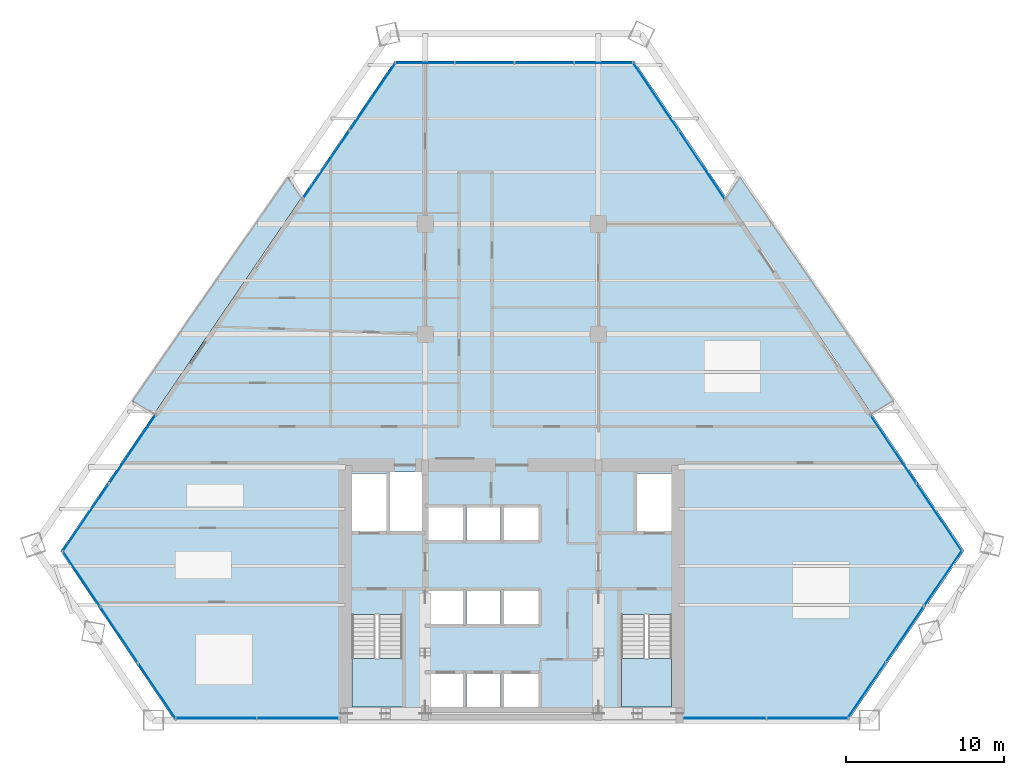
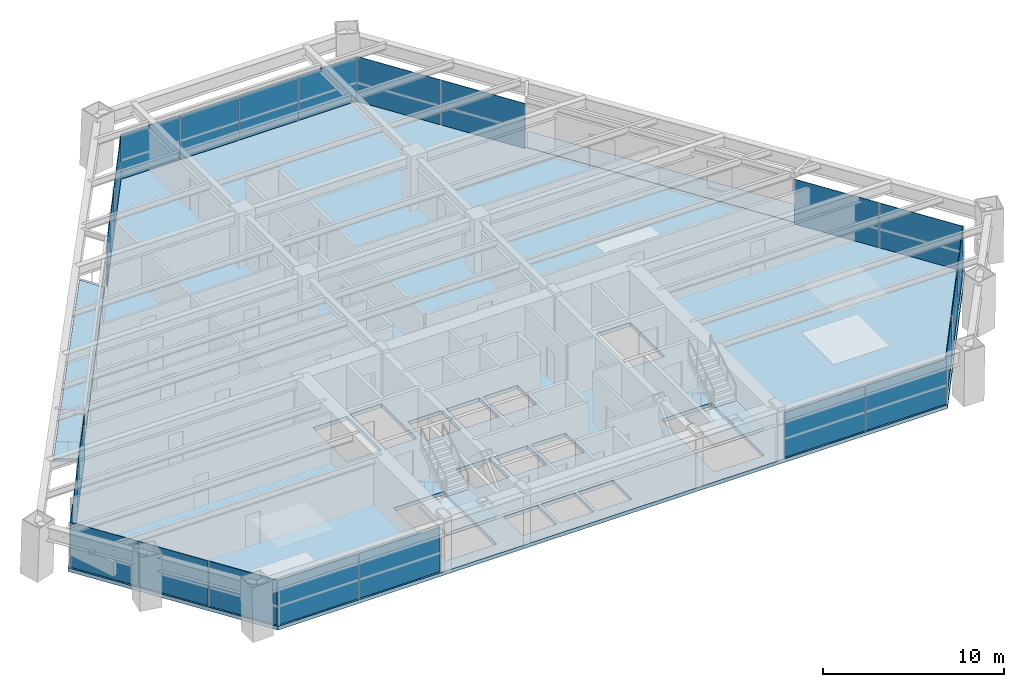
# One storey, part 9 of 14: 22 plates, 5 slabs, 11 elements without a shape of their own.
"""IFC4 building model written with IfcOpenShell, lengths in metres."""

import ifcopenshell
import ifcopenshell.guid

model = None  # the IFC model being written
_history = None  # IfcOwnerHistory: only IFC2X3 demands one
_inside = {}  # id of a spatial element -> (the spatial element, [elements in it])
_under = {}  # id of a project, library or spatial element -> (it, [spatial elements below it])
_declared = {}  # id of a project -> (the project, [libraries it declares])
_typed = {}  # id of a type object -> (the type object, [elements of that type])
_made_of = {}  # id of a material, layer set ... -> (it, [elements and type objects made of it])


def new_model(schema):
    """Start an empty IFC model of exactly this schema.

    Asked for "IFC4X3", IfcOpenShell would pick the latest addendum, in which some entities
    have other attributes; the version numbers below select the first issue.
    IFC2X3 requires an IfcOwnerHistory on every rooted entity: one is made here for all.
    """
    global model, _history
    if schema == "IFC4X3":
        model = ifcopenshell.file(schema_version=(4, 3, 0, 0))
    else:
        model = ifcopenshell.file(schema=schema)
    _inside.clear()
    _under.clear()
    _declared.clear()
    _typed.clear()
    _made_of.clear()
    _history = None
    if model.schema == "IFC2X3":
        org = make("IfcOrganization", Name="unknown")
        user = make(
            "IfcPersonAndOrganization",
            ThePerson=make("IfcPerson", FamilyName="unknown"),
            TheOrganization=org,
        )
        app = make(
            "IfcApplication",
            ApplicationDeveloper=org,
            Version="unknown",
            ApplicationFullName="unknown",
            ApplicationIdentifier="unknown",
        )
        _history = make(
            "IfcOwnerHistory",
            OwningUser=user,
            OwningApplication=app,
            ChangeAction="ADDED",
            CreationDate=0,
        )
    return model


def make(cls, **values):
    """One entity of the class cls with the attributes given. An attribute that is None is left unset."""
    return model.create_entity(
        cls, **{name: value for name, value in values.items() if value is not None}
    )


def rooted(cls, **values):
    """An entity with a GlobalId (a new one), such as an element, a storey or a relation."""
    return make(cls, GlobalId=ifcopenshell.guid.new(), OwnerHistory=_history, **values)


def si_unit(unit_type, name, prefix=None):
    """IfcSIUnit, for example si_unit("LENGTHUNIT", "METRE", prefix="MILLI")."""
    return make("IfcSIUnit", UnitType=unit_type, Prefix=prefix, Name=name)


def assignment(units):
    """IfcUnitAssignment: the units of a project."""
    return None if units is None else make("IfcUnitAssignment", Units=units)


def point(xyz):
    """IfcCartesianPoint."""
    return None if xyz is None else make("IfcCartesianPoint", Coordinates=xyz)


def direction(xyz):
    """IfcDirection."""
    return None if xyz is None else make("IfcDirection", DirectionRatios=xyz)


def frame(location, z_axis=None, x_axis=None):
    """IfcAxis2Placement3D, a coordinate frame: its origin and axes. An axis left out is left unset."""
    return make(
        "IfcAxis2Placement3D",
        Location=point(location),
        Axis=direction(z_axis),
        RefDirection=direction(x_axis),
    )


def frame_2d(location, x_axis=None):
    """IfcAxis2Placement2D, a coordinate frame in the plane: its origin and x axis."""
    return make(
        "IfcAxis2Placement2D", Location=point(location), RefDirection=direction(x_axis)
    )


def origin():
    """The frame at (0, 0, 0) with its axes left unset."""
    return frame((0.0, 0.0, 0.0))


def origin_2d():
    """The frame at (0, 0) in the plane with its x axis left unset."""
    return frame_2d((0.0, 0.0))


def place(relative_to, where):
    """IfcLocalPlacement: puts the frame where relative to a parent placement (None: the world)."""
    return make(
        "IfcLocalPlacement", PlacementRelTo=relative_to, RelativePlacement=where
    )


def context(
    kind, dimensions, precision=None, world=None, true_north=None, identifier=None
):
    """IfcGeometricRepresentationContext, for example the 3D "Model" context."""
    return make(
        "IfcGeometricRepresentationContext",
        ContextIdentifier=identifier,
        ContextType=kind,
        CoordinateSpaceDimension=dimensions,
        Precision=precision,
        WorldCoordinateSystem=world,
        TrueNorth=true_north,
    )


def subcontext(parent, identifier, kind, view, scale=None):
    """IfcGeometricRepresentationSubContext, for example "Body" below "Model"."""
    return make(
        "IfcGeometricRepresentationSubContext",
        ContextIdentifier=identifier,
        ContextType=kind,
        ParentContext=parent,
        TargetScale=scale,
        TargetView=view,
    )


def project(units=None, contexts=None):
    """IfcProject with its units and contexts."""
    return rooted(
        "IfcProject",
        Name="project",
        RepresentationContexts=contexts,
        UnitsInContext=assignment(units),
    )


def spatial(cls, under=None, at=None, **own):
    """A site, building, storey or space (cls), placed at a placement, below another one or the project."""
    s = rooted(cls, ObjectPlacement=at, **own)
    if under is not None:
        _under.setdefault(under.id(), (under, []))[1].append(s)
    return s


def polyline(points):
    """IfcPolyline through the points."""
    return make("IfcPolyline", Points=[point(p) for p in points])


def profile(cls, at=None, kind="AREA", **sizes):
    """A parametric profile (cls). Its sizes go by their IFC names, for example OverallWidth=200.0."""
    return make(cls, ProfileType=kind, Position=at, **sizes)


def rectangle(**sizes):
    """IfcRectangleProfileDef."""
    return profile("IfcRectangleProfileDef", **sizes)


def outline(outer, holes=None, kind="AREA"):
    """IfcArbitraryClosedProfileDef: a profile drawn as a closed curve; with holes, ...WithVoids."""
    if holes is None:
        return make("IfcArbitraryClosedProfileDef", ProfileType=kind, OuterCurve=outer)
    return make(
        "IfcArbitraryProfileDefWithVoids",
        ProfileType=kind,
        OuterCurve=outer,
        InnerCurves=holes,
    )


def extrude(swept, where, along, depth):
    """IfcExtrudedAreaSolid: the profile swept, set in the frame where, extruded along a direction by depth."""
    return make(
        "IfcExtrudedAreaSolid",
        SweptArea=swept,
        Position=where,
        ExtrudedDirection=direction(along),
        Depth=depth,
    )


def shape(context_of_items, identifier, shape_type, items):
    """IfcShapeRepresentation: the items that make up one representation, for example the "Body"."""
    return make(
        "IfcShapeRepresentation",
        ContextOfItems=context_of_items,
        RepresentationIdentifier=identifier,
        RepresentationType=shape_type,
        Items=items,
    )


def source(mapping_origin, context_of_items, identifier, shape_type, items):
    """IfcRepresentationMap: a shape defined once, which mapped items show again and again."""
    return make(
        "IfcRepresentationMap",
        MappingOrigin=mapping_origin,
        MappedRepresentation=shape(context_of_items, identifier, shape_type, items),
    )


def transform(
    local_origin,
    x_axis=None,
    y_axis=None,
    z_axis=None,
    scale=None,
    scale2=None,
    scale3=None,
    uniform=True,
):
    """IfcCartesianTransformationOperator3D, or its non-uniform kind. x_axis, y_axis, z_axis: its Axis1, 2, 3."""
    if uniform:
        return make(
            "IfcCartesianTransformationOperator3D",
            Axis1=direction(x_axis),
            Axis2=direction(y_axis),
            LocalOrigin=point(local_origin),
            Scale=scale,
            Axis3=direction(z_axis),
        )
    return make(
        "IfcCartesianTransformationOperator3DnonUniform",
        Axis1=direction(x_axis),
        Axis2=direction(y_axis),
        LocalOrigin=point(local_origin),
        Scale=scale,
        Axis3=direction(z_axis),
        Scale2=scale2,
        Scale3=scale3,
    )


def mapped(mapping_source, mapping_target):
    """IfcMappedItem: shows the shape of a source again, moved by a transform."""
    return make(
        "IfcMappedItem", MappingSource=mapping_source, MappingTarget=mapping_target
    )


def material(Name=None, Category=None):
    """IfcMaterial."""
    return make("IfcMaterial", Name=Name, Category=Category)


def layer(
    of_material, thickness, ventilated=None, Name=None, Category=None, Priority=None
):
    """IfcMaterialLayer: one layer of a wall or slab, of a material (None: an air gap)."""
    return make(
        "IfcMaterialLayer",
        Material=of_material,
        LayerThickness=thickness,
        IsVentilated=ventilated,
        Name=Name,
        Category=Category,
        Priority=Priority,
    )


def layer_set(layers, Name=None):
    """IfcMaterialLayerSet."""
    return make("IfcMaterialLayerSet", MaterialLayers=layers, LayerSetName=Name)


def made_of(thing, what):
    """Note that an element or type object is made of a material, layer set ...; save() writes the relation."""
    if what is not None:
        _made_of.setdefault(what.id(), (what, []))[1].append(thing)
    return thing


def type_object(cls, material=None, **own):
    """A type object (cls), such as IfcWallType, which elements share."""
    return made_of(rooted(cls, **own), material)


def element(
    cls,
    number,
    at=None,
    inside=None,
    cuts=None,
    type_object=None,
    material=None,
    context=None,
    identifier="Body",
    shape_type=None,
    held_by="IfcProductDefinitionShape",
    body=None,
    shapes=None,
    **own,
):
    """One element of the class cls, such as IfcWall. Its Tag is "e" and its number.

    at: its placement. inside: the storey or other place that contains it. cuts: it is an
    opening in that element (IfcRelVoidsElement). A single representation is given by context,
    identifier, shape_type and body (its items); several are given by shapes. held_by: the class
    of the entity that holds the representations. save() writes the other relations.
    """
    e = rooted(cls, Tag="e%d" % number, ObjectPlacement=at, **own)
    if body is not None:
        shapes = [shape(context, identifier, shape_type, body)]
    if shapes is not None:
        e.Representation = make(held_by, Representations=shapes)
    if inside is not None:
        _inside.setdefault(inside.id(), (inside, []))[1].append(e)
    if cuts is not None:
        rooted(
            "IfcRelVoidsElement", RelatingBuildingElement=cuts, RelatedOpeningElement=e
        )
    if type_object is not None:
        _typed.setdefault(type_object.id(), (type_object, []))[1].append(e)
    return made_of(e, material)


def aggregate(whole, parts):
    """IfcRelAggregates: a whole, such as a stair, and the parts it consists of."""
    return rooted("IfcRelAggregates", RelatingObject=whole, RelatedObjects=parts)


def save(model, path):
    """Write the relations noted so far, then the file.

    IfcRelAggregates (storeys below a building ...), IfcRelContainedInSpatialStructure (elements
    in a storey), IfcRelDefinesByType, IfcRelAssociatesMaterial and IfcRelDeclares: one each for
    every whole, place, type object, material and project.
    """
    for whole, parts in _under.values():
        aggregate(whole, parts)
    for where, things in _inside.values():
        rooted(
            "IfcRelContainedInSpatialStructure",
            RelatedElements=things,
            RelatingStructure=where,
        )
    for kind, things in _typed.values():
        rooted("IfcRelDefinesByType", RelatedObjects=things, RelatingType=kind)
    for what, things in _made_of.values():
        rooted("IfcRelAssociatesMaterial", RelatedObjects=things, RelatingMaterial=what)
    for by, libraries in _declared.values():
        rooted("IfcRelDeclares", RelatingContext=by, RelatedDefinitions=libraries)
    model.write(path)


model = new_model("IFC4")

# Units and contexts
model_context = context("Model", 3, precision=1e-05, world=origin(), true_north=direction((0.0, 1.0)))
body_context = subcontext(model_context, "Body", "Model", "MODEL_VIEW")
ifc_project = project(units=[si_unit("LENGTHUNIT", "METRE"), si_unit("AREAUNIT", "SQUARE_METRE"), si_unit("VOLUMEUNIT", "CUBIC_METRE"), si_unit("PLANEANGLEUNIT", "RADIAN"), si_unit("MASSUNIT", "GRAM", prefix="KILO")], contexts=[model_context])

# Site, building, storey
site_placement = place(None, origin())
site = spatial("IfcSite", under=ifc_project, at=site_placement, CompositionType="ELEMENT")
building_placement = place(site_placement, origin())
building = spatial("IfcBuilding", under=site, at=building_placement, Name="Varnakhor Terracotta Tower", CompositionType="ELEMENT")
storey_placement = place(building_placement, frame((0.0, 0.0, 42.300048828125)))
storey = spatial("IfcBuildingStorey", under=building, at=storey_placement, Name="L09", CompositionType="ELEMENT", Elevation=42.300048828125)

# Stair, slab
ifc_material_1 = material(Name="Concrete C40/50", Category="concrete")
stair_type = type_object("IfcStairType", Name="STR-CORE-OFFICE-1500", PredefinedType="HALF_TURN_STAIR", material=ifc_material_1)
stair_1_placement = place(storey_placement, origin())
stair_1 = element("IfcStair", 1, at=stair_1_placement, inside=storey, type_object=stair_type, Name="L09 Core Exit Stair ST-1", PredefinedType="HALF_TURN_STAIR")
ifc_layer_1 = layer(ifc_material_1, 0.179931640625, Name="Concrete C40/50")
ifc_layer_set_1 = layer_set([ifc_layer_1], Name="Concrete C40/50")
slab_type_1 = type_object("IfcSlabType", Name="SLB-LANDING-180", PredefinedType="LANDING", material=ifc_layer_set_1)
slab_1_placement = place(storey_placement, frame((0.0, 0.0, 1.64990234375)))
slab_1 = element("IfcSlab", 2, at=slab_1_placement, type_object=slab_type_1, Name="ST-1 landing 1", PredefinedType="LANDING", context=body_context, shape_type="SweptSolid", body=[
    extrude(outline(polyline([(-10.14990234375, 3.909912109375), (-10.14990234375, 0.85009765625), (-6.949951171875, 0.85009765625), (-6.949951171875, 3.909912109375), (-10.14990234375, 3.909912109375)])), origin(), (0.0, 0.0, 1.0), 0.199951171875),
])
aggregate(stair_1, [slab_1])

stair_2_placement = place(storey_placement, origin())
stair_2 = element("IfcStair", 3, at=stair_2_placement, inside=storey, type_object=stair_type, Name="L09 Core Exit Stair ST-2", PredefinedType="HALF_TURN_STAIR")
slab_2_placement = place(storey_placement, frame((0.0, 0.0, 1.64990234375)))
slab_2 = element("IfcSlab", 4, at=slab_2_placement, type_object=slab_type_1, Name="ST-2 landing 1", PredefinedType="LANDING", context=body_context, shape_type="SweptSolid", body=[
    extrude(outline(polyline([(6.949951171875, 3.909912109375), (6.949951171875, 0.85009765625), (10.14990234375, 0.85009765625), (10.14990234375, 3.909912109375), (6.949951171875, 3.909912109375)])), origin(), (0.0, 0.0, 1.0), 0.199951171875),
])
aggregate(stair_2, [slab_2])

# Slabs
ifc_layer_2 = layer(ifc_material_1, 0.195068359375, Name="Concrete C40/50")
ifc_layer_set_2 = layer_set([ifc_layer_2], Name="Concrete C40/50")
slab_type_2 = type_object("IfcSlabType", Name="SLB-LOGGIA-EXT-195", PredefinedType="FLOOR", material=ifc_layer_set_2)
slab_3_placement = place(storey_placement, frame((0.0, 0.0, -0.195068359375)))
element("IfcSlab", 5, at=slab_3_placement, inside=storey, type_object=slab_type_2, Name="L09 E Recessed Outdoor Loggia Slab", PredefinedType="FLOOR", context=body_context, shape_type="SweptSolid", body=[
    extrude(outline(polyline([(14.45947265625, 34.48681640625), (24.241455078125, 20.24853515625), (22.84814453125, 19.460205078125), (13.633544921875, 33.143798828125), (14.45947265625, 34.48681640625)])), origin(), (0.0, 0.0, 1.0), 0.195068359375),
])
slab_4_placement = place(storey_placement, frame((0.0, 0.0, -0.195068359375)))
element("IfcSlab", 6, at=slab_4_placement, inside=storey, type_object=slab_type_2, Name="L09 W Recessed Outdoor Loggia Slab", PredefinedType="FLOOR", context=body_context, shape_type="SweptSolid", body=[
    extrude(outline(polyline([(-24.09619140625, 20.228515625), (-14.19384765625, 34.47900390625), (-13.36767578125, 33.13623046875), (-22.7021484375, 19.44091796875), (-24.09619140625, 20.228515625)])), origin(), (0.0, 0.0, 1.0), 0.195068359375),
])
ifc_layer_3 = layer(ifc_material_1, 0.25, Name="Concrete C40/50")
ifc_layer_set_3 = layer_set([ifc_layer_3], Name="Concrete C40/50")
slab_type_3 = type_object("IfcSlabType", Name="SLB-OFF-250", PredefinedType="FLOOR", material=ifc_layer_set_3)
slab_5_placement = place(storey_placement, frame((0.0, 0.0, -0.25)))
element("IfcSlab", 7, at=slab_5_placement, inside=storey, type_object=slab_type_3, Name="L09 Structural Floor Slab", PredefinedType="FLOOR", context=body_context, shape_type="SweptSolid", body=[
    extrude(outline(polyline([(-28.642578125, 10.725341796875), (-7.42724609375, 41.851806640625), (7.76953125, 41.851806640625), (28.7119140625, 10.75244140625), (21.38330078125, 0.0), (-21.419921875, 0.0), (-28.642578125, 10.725341796875)]), holes=[polyline([(-3.10009765625, 0.85009765625), (-3.10009765625, 2.949951171875), (-5.300048828125, 2.949951171875), (-5.300048828125, 0.85009765625), (-3.10009765625, 0.85009765625)]), polyline([(-2.8798828125, 0.85009765625), (-0.719970703125, 0.85009765625), (-0.719970703125, 2.949951171875), (-2.8798828125, 2.949951171875), (-2.8798828125, 0.85009765625)]), polyline([(-10.14990234375, 0.85009765625), (-6.949951171875, 0.85009765625), (-6.949951171875, 6.695068359375), (-10.14990234375, 6.695068359375), (-10.14990234375, 0.85009765625)]), polyline([(-5.300048828125, 6.10009765625), (-3.10009765625, 6.10009765625), (-3.10009765625, 8.199951171875), (-5.300048828125, 8.199951171875), (-5.300048828125, 6.10009765625)]), polyline([(-5.300048828125, 11.419921875), (-3.10009765625, 11.419921875), (-3.10009765625, 13.52001953125), (-5.300048828125, 13.52001953125), (-5.300048828125, 11.419921875)]), polyline([(-10.14990234375, 11.8798828125), (-7.949951171875, 11.8798828125), (-7.949951171875, 15.64990234375), (-10.14990234375, 15.64990234375), (-10.14990234375, 11.8798828125)]), polyline([(-7.72998046875, 11.8798828125), (-5.699951171875, 11.8798828125), (-5.699951171875, 15.75), (-7.72998046875, 15.75), (-7.72998046875, 11.8798828125)]), polyline([(1.699951171875, 0.85009765625), (1.699951171875, 2.949951171875), (-0.5, 2.949951171875), (-0.5, 0.85009765625), (1.699951171875, 0.85009765625)]), polyline([(6.949951171875, 0.85009765625), (10.14990234375, 0.85009765625), (10.14990234375, 6.695068359375), (6.949951171875, 6.695068359375), (6.949951171875, 0.85009765625)]), polyline([(-2.8798828125, 6.10009765625), (-0.719970703125, 6.10009765625), (-0.719970703125, 8.199951171875), (-2.8798828125, 8.199951171875), (-2.8798828125, 6.10009765625)]), polyline([(-0.5, 6.10009765625), (1.699951171875, 6.10009765625), (1.699951171875, 8.199951171875), (-0.5, 8.199951171875), (-0.5, 6.10009765625)]), polyline([(-2.8798828125, 11.419921875), (-0.719970703125, 11.419921875), (-0.719970703125, 13.52001953125), (-2.8798828125, 13.52001953125), (-2.8798828125, 11.419921875)]), polyline([(-0.5, 11.419921875), (1.699951171875, 11.419921875), (1.699951171875, 13.52001953125), (-0.5, 13.52001953125), (-0.5, 11.419921875)]), polyline([(7.949951171875, 11.8798828125), (10.14990234375, 11.8798828125), (10.14990234375, 15.64990234375), (7.949951171875, 15.64990234375), (7.949951171875, 11.8798828125)])]), origin(), (0.0, 0.0, 1.0), 0.25),
])

# Curtain wall, plates
ifc_material_2 = material(Name="Anodised Aluminium Curtain Wall System", Category="aluminium")
curtain_wall_type = type_object("IfcCurtainWallType", Name="CW-SYS-LOW-OFFICE", PredefinedType="NOTDEFINED", material=ifc_material_2)
curtain_wall_1_placement = place(storey_placement, origin())
curtain_wall_1 = element("IfcCurtainWall", 8, at=curtain_wall_1_placement, inside=storey, type_object=curtain_wall_type, Name="L09 W Facet Curtain Wall 1", PredefinedType="NOTDEFINED")
ifc_material_3 = material(Name="Solar-Control Low-E Insulated Glass Panel", Category="glass")
ifc_layer_4 = layer(ifc_material_3, 0.0380859375, Name="Solar-Control Low-E Insulated Glass Panel")
ifc_layer_set_4 = layer_set([ifc_layer_4], Name="Solar-Control Low-E Insulated Glass Panel")
plate_type = type_object("IfcPlateType", Name="CWP-02", PredefinedType="CURTAIN_PANEL", material=ifc_layer_set_4)
shared_shape_1 = source(origin(), body_context, "Body", "SweptSolid", [
    extrude(rectangle(XDim=5.20361328125, YDim=0.035888671875, at=origin_2d()), origin(), (0.0, 0.0, 1.0), 3.030029296875),
])
plate_1_placement = place(storey_placement, frame((-27.0498046875, 12.84912109375, 0.0), z_axis=(0.0, 0.0, 1.0), x_axis=(0.56320880843, 0.826314612062, 0.0)))
plate_1 = element("IfcPlate", 9, at=plate_1_placement, type_object=plate_type, Name="L09 W Facet Curtain Wall 1 Glazed Panel 1", PredefinedType="CURTAIN_PANEL", context=body_context, shape_type="MappedRepresentation", body=[
    mapped(shared_shape_1, transform((0.0, 0.0, 0.0), scale=1.0)),
])
plate_2_placement = place(storey_placement, frame((-24.0966796875, 17.181884765625, 0.0), z_axis=(0.0, 0.0, 1.0), x_axis=(0.56320880843, 0.826314612062, 0.0)))
plate_2 = element("IfcPlate", 10, at=plate_2_placement, type_object=plate_type, Name="L09 W Facet Curtain Wall 1 Glazed Panel 2", PredefinedType="CURTAIN_PANEL", context=body_context, shape_type="MappedRepresentation", body=[
    mapped(shared_shape_1, transform((0.0, 0.0, 0.0), scale=1.0)),
])
aggregate(curtain_wall_1, [plate_1, plate_2])

curtain_wall_2_placement = place(storey_placement, origin())
curtain_wall_2 = element("IfcCurtainWall", 11, at=curtain_wall_2_placement, inside=storey, type_object=curtain_wall_type, Name="L09 W Facet Curtain Wall 2", PredefinedType="NOTDEFINED")
plate_3_placement = place(storey_placement, frame((-11.77490234375, 35.260009765625, 0.0), z_axis=(0.0, 0.0, 1.0), x_axis=(0.56320880843, 0.826314612062, 0.0)))
plate_3 = element("IfcPlate", 12, at=plate_3_placement, type_object=plate_type, Name="L09 W Facet Curtain Wall 2 Glazed Panel 1", PredefinedType="CURTAIN_PANEL", context=body_context, shape_type="MappedRepresentation", body=[
    mapped(shared_shape_1, transform((0.0, 0.0, 0.0), scale=1.0)),
])
plate_4_placement = place(storey_placement, frame((-8.821533203125, 39.5927734375, 0.0), z_axis=(0.0, 0.0, 1.0), x_axis=(0.56320880843, 0.826314612062, 0.0)))
plate_4 = element("IfcPlate", 13, at=plate_4_placement, type_object=plate_type, Name="L09 W Facet Curtain Wall 2 Glazed Panel 2", PredefinedType="CURTAIN_PANEL", context=body_context, shape_type="MappedRepresentation", body=[
    mapped(shared_shape_1, transform((0.0, 0.0, 0.0), scale=1.0)),
])
aggregate(curtain_wall_2, [plate_3, plate_4])

curtain_wall_3_placement = place(storey_placement, origin())
curtain_wall_3 = element("IfcCurtainWall", 14, at=curtain_wall_3_placement, inside=storey, type_object=curtain_wall_type, Name="L09 Facet Curtain Wall 2", PredefinedType="NOTDEFINED")
shared_shape_2 = source(origin(), body_context, "Body", "SweptSolid", [
    extrude(rectangle(XDim=3.744140625, YDim=0.035888671875, at=origin_2d()), origin(), (0.0, 0.0, 1.0), 3.030029296875),
])
plate_5_placement = place(storey_placement, frame((-5.505126953125, 41.731689453125, 0.0), z_axis=(0.0, 0.0, 1.0), x_axis=(1.0, 0.0, 0.0)))
plate_5 = element("IfcPlate", 15, at=plate_5_placement, type_object=plate_type, Name="L09 Facet Curtain Wall 2 Glazed Panel 1", PredefinedType="CURTAIN_PANEL", context=body_context, shape_type="MappedRepresentation", body=[
    mapped(shared_shape_2, transform((0.0, 0.0, 0.0), scale=1.0)),
])
plate_6_placement = place(storey_placement, frame((-1.720947265625, 41.731689453125, 0.0), z_axis=(0.0, 0.0, 1.0), x_axis=(1.0, 0.0, 0.0)))
plate_6 = element("IfcPlate", 16, at=plate_6_placement, type_object=plate_type, Name="L09 Facet Curtain Wall 2 Glazed Panel 2", PredefinedType="CURTAIN_PANEL", context=body_context, shape_type="MappedRepresentation", body=[
    mapped(shared_shape_2, transform((0.0, 0.0, 0.0), scale=1.0)),
])
plate_7_placement = place(storey_placement, frame((5.847412109375, 41.731689453125, 0.0), z_axis=(0.0, 0.0, 1.0), x_axis=(1.0, 0.0, 0.0)))
plate_7 = element("IfcPlate", 17, at=plate_7_placement, type_object=plate_type, Name="L09 Facet Curtain Wall 2 Glazed Panel 4", PredefinedType="CURTAIN_PANEL", context=body_context, shape_type="MappedRepresentation", body=[
    mapped(shared_shape_2, transform((0.0, 0.0, 0.0), scale=1.0)),
])
shared_shape_3 = source(origin(), body_context, "Body", "SweptSolid", [
    extrude(rectangle(XDim=3.744384765625, YDim=0.035888671875, at=origin_2d()), origin(), (0.0, 0.0, 1.0), 3.030029296875),
])
plate_8_placement = place(storey_placement, frame((2.063232421875, 41.731689453125, 0.0), z_axis=(0.0, 0.0, 1.0), x_axis=(1.0, 0.0, 0.0)))
plate_8 = element("IfcPlate", 18, at=plate_8_placement, type_object=plate_type, Name="L09 Facet Curtain Wall 2 Glazed Panel 3", PredefinedType="CURTAIN_PANEL", context=body_context, shape_type="MappedRepresentation", body=[
    mapped(shared_shape_3, transform((0.0, 0.0, 0.0), scale=1.0)),
])
aggregate(curtain_wall_3, [plate_5, plate_6, plate_8, plate_7])

curtain_wall_4_placement = place(storey_placement, origin())
curtain_wall_4 = element("IfcCurtainWall", 19, at=curtain_wall_4_placement, inside=storey, type_object=curtain_wall_type, Name="L09 E Facet Curtain Wall 1", PredefinedType="NOTDEFINED")
shared_shape_4 = source(origin(), body_context, "Body", "SweptSolid", [
    extrude(rectangle(XDim=5.17919921875, YDim=0.035888671875, at=origin_2d()), origin(), (0.0, 0.0, 1.0), 3.030029296875),
])
plate_9_placement = place(storey_placement, frame((9.144287109375, 39.59521484375, 0.0), z_axis=(0.0, 0.0, 1.0), x_axis=(0.558556083493, -0.829466757377, 0.0)))
plate_9 = element("IfcPlate", 20, at=plate_9_placement, type_object=plate_type, Name="L09 E Facet Curtain Wall 1 Glazed Panel 1", PredefinedType="CURTAIN_PANEL", context=body_context, shape_type="MappedRepresentation", body=[
    mapped(shared_shape_4, transform((0.0, 0.0, 0.0), scale=1.0)),
])
plate_10_placement = place(storey_placement, frame((12.0595703125, 35.266357421875, 0.0), z_axis=(0.0, 0.0, 1.0), x_axis=(0.558556083493, -0.829466757377, 0.0)))
plate_10 = element("IfcPlate", 21, at=plate_10_placement, type_object=plate_type, Name="L09 E Facet Curtain Wall 1 Glazed Panel 2", PredefinedType="CURTAIN_PANEL", context=body_context, shape_type="MappedRepresentation", body=[
    mapped(shared_shape_4, transform((0.0, 0.0, 0.0), scale=1.0)),
])
aggregate(curtain_wall_4, [plate_9, plate_10])

curtain_wall_5_placement = place(storey_placement, origin())
curtain_wall_5 = element("IfcCurtainWall", 22, at=curtain_wall_5_placement, inside=storey, type_object=curtain_wall_type, Name="L09 E Facet Curtain Wall 2", PredefinedType="NOTDEFINED")
plate_11_placement = place(storey_placement, frame((24.222900390625, 17.203857421875, 0.0), z_axis=(0.0, 0.0, 1.0), x_axis=(0.558556083493, -0.829466757377, 0.0)))
plate_11 = element("IfcPlate", 23, at=plate_11_placement, type_object=plate_type, Name="L09 E Facet Curtain Wall 2 Glazed Panel 1", PredefinedType="CURTAIN_PANEL", context=body_context, shape_type="MappedRepresentation", body=[
    mapped(shared_shape_4, transform((0.0, 0.0, 0.0), scale=1.0)),
])
plate_12_placement = place(storey_placement, frame((27.13818359375, 12.874755859375, 0.0), z_axis=(0.0, 0.0, 1.0), x_axis=(0.558556083493, -0.829466757377, 0.0)))
plate_12 = element("IfcPlate", 24, at=plate_12_placement, type_object=plate_type, Name="L09 E Facet Curtain Wall 2 Glazed Panel 2", PredefinedType="CURTAIN_PANEL", context=body_context, shape_type="MappedRepresentation", body=[
    mapped(shared_shape_4, transform((0.0, 0.0, 0.0), scale=1.0)),
])
aggregate(curtain_wall_5, [plate_11, plate_12])

curtain_wall_6_placement = place(storey_placement, origin())
curtain_wall_6 = element("IfcCurtainWall", 25, at=curtain_wall_6_placement, inside=storey, type_object=curtain_wall_type, Name="L09 Facet Curtain Wall 4", PredefinedType="NOTDEFINED")
shared_shape_5 = source(origin(), body_context, "Body", "SweptSolid", [
    extrude(rectangle(XDim=4.277587890625, YDim=0.035888671875, at=origin_2d()), origin(), (0.0, 0.0, 1.0), 3.030029296875),
])
plate_13_placement = place(storey_placement, frame((27.380126953125, 9.011474609375, 0.0), z_axis=(0.0, 0.0, 1.0), x_axis=(-0.563194386433, -0.826324441784, 0.0)))
plate_13 = element("IfcPlate", 26, at=plate_13_placement, type_object=plate_type, Name="L09 Facet Curtain Wall 4 Glazed Panel 1", PredefinedType="CURTAIN_PANEL", context=body_context, shape_type="MappedRepresentation", body=[
    mapped(shared_shape_5, transform((0.0, 0.0, 0.0), scale=1.0)),
])
plate_14_placement = place(storey_placement, frame((24.948486328125, 5.44384765625, 0.0), z_axis=(0.0, 0.0, 1.0), x_axis=(-0.563194386433, -0.826324441784, 0.0)))
plate_14 = element("IfcPlate", 27, at=plate_14_placement, type_object=plate_type, Name="L09 Facet Curtain Wall 4 Glazed Panel 2", PredefinedType="CURTAIN_PANEL", context=body_context, shape_type="MappedRepresentation", body=[
    mapped(shared_shape_5, transform((0.0, 0.0, 0.0), scale=1.0)),
])
plate_15_placement = place(storey_placement, frame((22.516845703125, 1.876220703125, 0.0), z_axis=(0.0, 0.0, 1.0), x_axis=(-0.563194386433, -0.826324441784, 0.0)))
plate_15 = element("IfcPlate", 28, at=plate_15_placement, type_object=plate_type, Name="L09 Facet Curtain Wall 4 Glazed Panel 3", PredefinedType="CURTAIN_PANEL", context=body_context, shape_type="MappedRepresentation", body=[
    mapped(shared_shape_5, transform((0.0, 0.0, 0.0), scale=1.0)),
])
aggregate(curtain_wall_6, [plate_13, plate_14, plate_15])

curtain_wall_7_placement = place(storey_placement, origin())
curtain_wall_7 = element("IfcCurtainWall", 29, at=curtain_wall_7_placement, inside=storey, type_object=curtain_wall_type, Name="L09 South Wing Curtain Wall SSE", PredefinedType="NOTDEFINED")
shared_shape_6 = source(origin(), body_context, "Body", "SweptSolid", [
    extrude(rectangle(XDim=5.16162109375, YDim=0.035888671875, at=origin_2d()), origin(), (0.0, 0.0, 1.0), 3.030029296875),
])
plate_16_placement = place(storey_placement, frame((18.772705078125, 0.1201171875, 0.0), z_axis=(0.0, 0.0, 1.0), x_axis=(-1.0, 0.0, 0.0)))
plate_16 = element("IfcPlate", 30, at=plate_16_placement, type_object=plate_type, Name="L09 South Wing Curtain Wall SSE Glazed Panel 1", PredefinedType="CURTAIN_PANEL", context=body_context, shape_type="MappedRepresentation", body=[
    mapped(shared_shape_6, transform((0.0, 0.0, 0.0), scale=1.0)),
])
plate_17_placement = place(storey_placement, frame((13.57080078125, 0.1201171875, 0.0), z_axis=(0.0, 0.0, 1.0), x_axis=(-1.0, 0.0, 0.0)))
plate_17 = element("IfcPlate", 31, at=plate_17_placement, type_object=plate_type, Name="L09 South Wing Curtain Wall SSE Glazed Panel 2", PredefinedType="CURTAIN_PANEL", context=body_context, shape_type="MappedRepresentation", body=[
    mapped(shared_shape_6, transform((0.0, 0.0, 0.0), scale=1.0)),
])
aggregate(curtain_wall_7, [plate_16, plate_17])

curtain_wall_8_placement = place(storey_placement, origin())
curtain_wall_8 = element("IfcCurtainWall", 32, at=curtain_wall_8_placement, inside=storey, type_object=curtain_wall_type, Name="L09 South Wing Curtain Wall SSW", PredefinedType="NOTDEFINED")
shared_shape_7 = source(origin(), body_context, "Body", "SweptSolid", [
    extrude(rectangle(XDim=5.179931640625, YDim=0.035888671875, at=origin_2d()), origin(), (0.0, 0.0, 1.0), 3.030029296875),
])
plate_18_placement = place(storey_placement, frame((-13.580078125, 0.1201171875, 0.0), z_axis=(0.0, 0.0, 1.0), x_axis=(-1.0, 0.0, 0.0)))
plate_18 = element("IfcPlate", 33, at=plate_18_placement, type_object=plate_type, Name="L09 South Wing Curtain Wall SSW Glazed Panel 1", PredefinedType="CURTAIN_PANEL", context=body_context, shape_type="MappedRepresentation", body=[
    mapped(shared_shape_7, transform((0.0, 0.0, 0.0), scale=1.0)),
])
plate_19_placement = place(storey_placement, frame((-18.800048828125, 0.1201171875, 0.0), z_axis=(0.0, 0.0, 1.0), x_axis=(-1.0, 0.0, 0.0)))
plate_19 = element("IfcPlate", 34, at=plate_19_placement, type_object=plate_type, Name="L09 South Wing Curtain Wall SSW Glazed Panel 2", PredefinedType="CURTAIN_PANEL", context=body_context, shape_type="MappedRepresentation", body=[
    mapped(shared_shape_7, transform((0.0, 0.0, 0.0), scale=1.0)),
])
aggregate(curtain_wall_8, [plate_18, plate_19])

curtain_wall_9_placement = place(storey_placement, origin())
curtain_wall_9 = element("IfcCurtainWall", 35, at=curtain_wall_9_placement, inside=storey, type_object=curtain_wall_type, Name="L09 Facet Curtain Wall 6", PredefinedType="NOTDEFINED")
shared_shape_8 = source(origin(), body_context, "Body", "SweptSolid", [
    extrude(rectangle(XDim=4.250244140625, YDim=0.035888671875, at=origin_2d()), origin(), (0.0, 0.0, 1.0), 3.030029296875),
])
plate_20_placement = place(storey_placement, frame((-22.535400390625, 1.87109375, 0.0), z_axis=(0.0, 0.0, 1.0), x_axis=(-0.558556083493, 0.829466757377, 0.0)))
plate_20 = element("IfcPlate", 36, at=plate_20_placement, type_object=plate_type, Name="L09 Facet Curtain Wall 6 Glazed Panel 1", PredefinedType="CURTAIN_PANEL", context=body_context, shape_type="MappedRepresentation", body=[
    mapped(shared_shape_8, transform((0.0, 0.0, 0.0), scale=1.0)),
])
shared_shape_9 = source(origin(), body_context, "Body", "SweptSolid", [
    extrude(rectangle(XDim=4.25, YDim=0.035888671875, at=origin_2d()), origin(), (0.0, 0.0, 1.0), 3.030029296875),
])
plate_21_placement = place(storey_placement, frame((-24.931884765625, 5.4296875, 0.0), z_axis=(0.0, 0.0, 1.0), x_axis=(-0.558556083493, 0.829466757377, 0.0)))
plate_21 = element("IfcPlate", 37, at=plate_21_placement, type_object=plate_type, Name="L09 Facet Curtain Wall 6 Glazed Panel 2", PredefinedType="CURTAIN_PANEL", context=body_context, shape_type="MappedRepresentation", body=[
    mapped(shared_shape_9, transform((0.0, 0.0, 0.0), scale=1.0)),
])
plate_22_placement = place(storey_placement, frame((-27.327880859375, 8.98828125, 0.0), z_axis=(0.0, 0.0, 1.0), x_axis=(-0.558556083493, 0.829466757377, 0.0)))
plate_22 = element("IfcPlate", 38, at=plate_22_placement, type_object=plate_type, Name="L09 Facet Curtain Wall 6 Glazed Panel 3", PredefinedType="CURTAIN_PANEL", context=body_context, shape_type="MappedRepresentation", body=[
    mapped(shared_shape_9, transform((0.0, 0.0, 0.0), scale=1.0)),
])
aggregate(curtain_wall_9, [plate_20, plate_21, plate_22])

save(model, "model.ifc")
